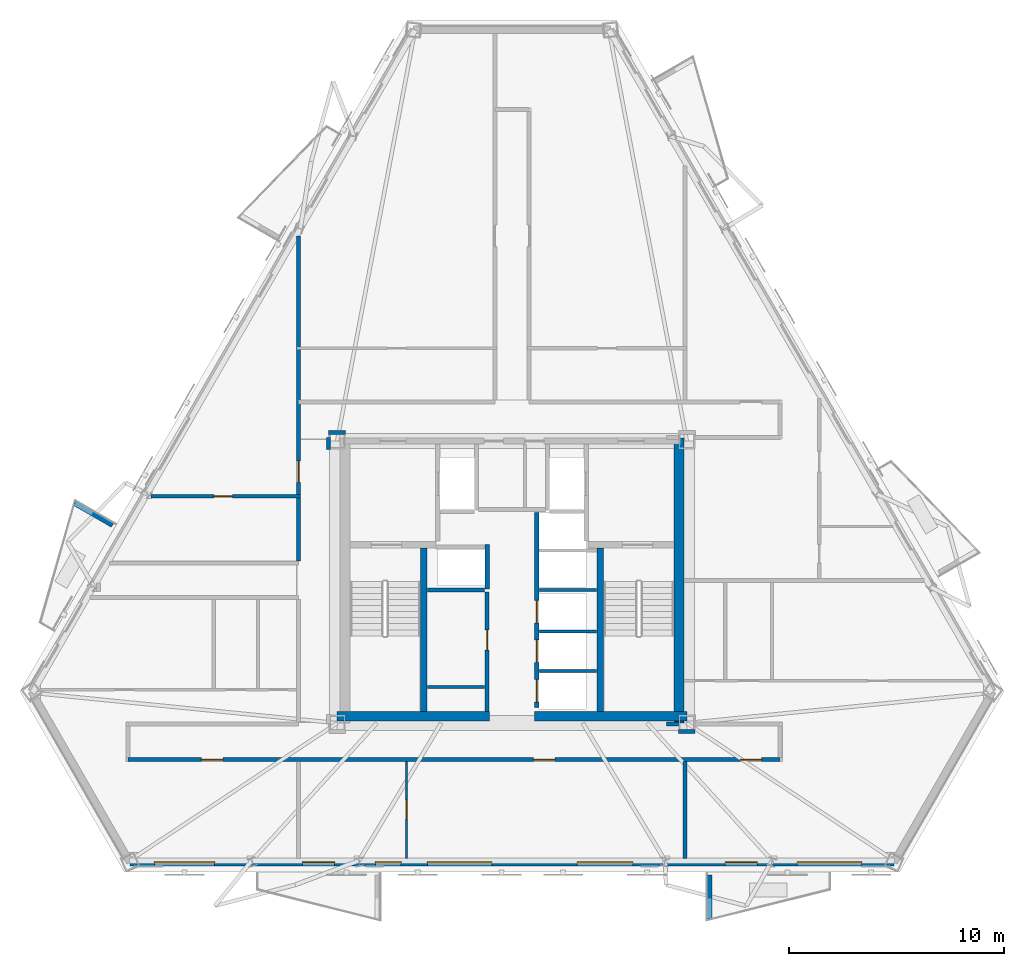
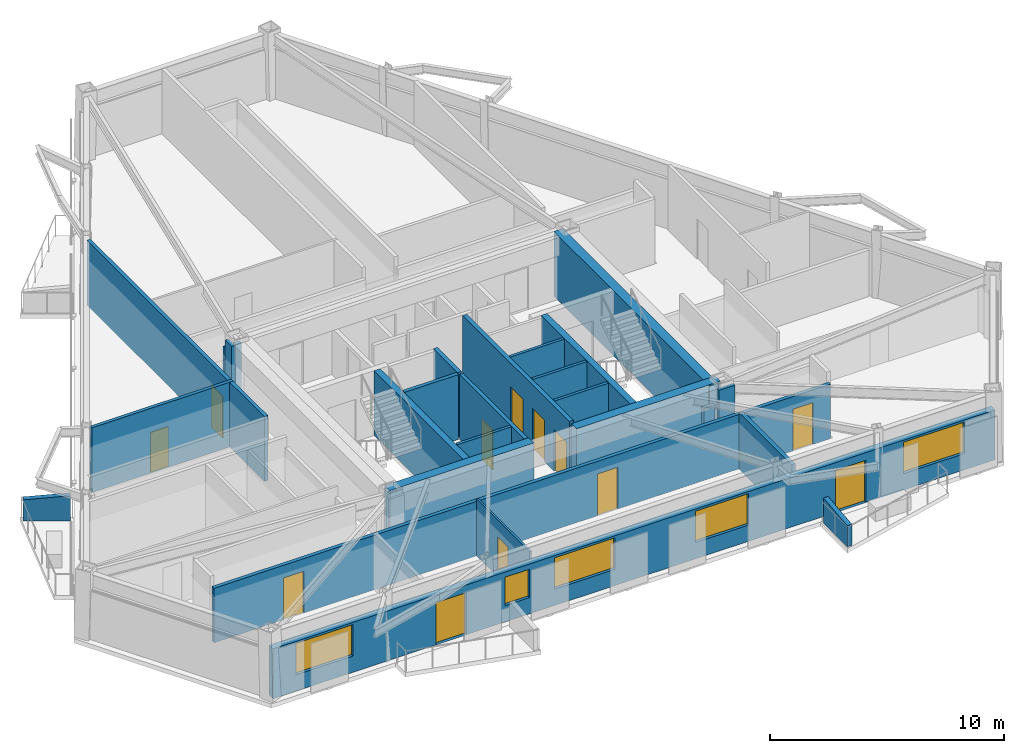
# One storey, part 3 of 9: 25 walls, 12 doors, 5 windows, 17 openings.
"""IFC4 building model written with IfcOpenShell, lengths in metres."""

from ifc_helpers import new_model, si_unit, direction, frame, frame_2d, origin, place, context, subcontext, project, spatial, polyline, rectangle, outline, extrude, material, layer, layer_set, type_object, element, fill, save


model = new_model("IFC4")

# Units and contexts
model_context = context("Model", 3, precision=1e-05, world=origin(), true_north=direction((0.0, 1.0)))
body_context = subcontext(model_context, "Body", "Model", "MODEL_VIEW")
ifc_project = project(units=[si_unit("LENGTHUNIT", "METRE"), si_unit("AREAUNIT", "SQUARE_METRE"), si_unit("VOLUMEUNIT", "CUBIC_METRE"), si_unit("PLANEANGLEUNIT", "RADIAN"), si_unit("MASSUNIT", "GRAM", prefix="KILO")], contexts=[model_context])

# Site, building, storey
site_placement = place(None, origin())
site = spatial("IfcSite", under=ifc_project, at=site_placement, CompositionType="ELEMENT")
building_placement = place(site_placement, origin())
building = spatial("IfcBuilding", under=site, at=building_placement, Name="Oramaril Tower", CompositionType="ELEMENT")
storey_placement = place(building_placement, frame((0.0, 0.0, 156.60009765625)))
storey = spatial("IfcBuildingStorey", under=building, at=storey_placement, Name="L41", CompositionType="ELEMENT", Elevation=156.60009765625)

# Wall, openings, doors, windows
ifc_material_1 = material(Name="Warm Cream Limestone", Category="masonry")
ifc_layer_1 = layer(ifc_material_1, 0.340087890625)
ifc_layer_set_1 = layer_set([ifc_layer_1], Name="WT-EXT34")
wall_type_1 = type_object("IfcWallType", Name="WT-EXT34", PredefinedType="SOLIDWALL", material=ifc_layer_set_1)
wall_1_placement = place(storey_placement, frame((19.69677734375, 4.5107421875, 0.0), z_axis=(0.0, 0.0, 1.0), x_axis=(1.0, 0.0, 0.0)))
wall_1 = element("IfcWall", 1, at=wall_1_placement, inside=storey, type_object=wall_type_1, Name="L41 Tower Limestone Facade Wall 2M", PredefinedType="SOLIDWALL", context=body_context, shape_type="SweptSolid", body=[
    extrude(rectangle(XDim=35.6064453125, YDim=0.340087890625, at=frame_2d((17.80322265625, 0.0))), origin(), (0.0, 0.0, 1.0), 2.599853515625),
])
opening_1_placement = place(wall_1_placement, frame((8.034423828125, 0.0, 0.0)))
opening_1 = element("IfcOpeningElement", 2, at=opening_1_placement, cuts=wall_1, Name="Opening D-L41-BAL-S1", PredefinedType="OPENING", context=body_context, shape_type="SweptSolid", body=[
    extrude(rectangle(XDim=1.5, YDim=2.199951171875, at=frame_2d((0.75, 1.10009765625))), frame((0.0, 0.169921875, 0.0), z_axis=(0.0, -1.0, 0.0), x_axis=(1.0, 0.0, 0.0)), (0.0, 0.0, 1.0), 0.340087890625),
])
opening_2_placement = place(wall_1_placement, frame((27.737060546875, 0.0, 0.0)))
opening_2 = element("IfcOpeningElement", 3, at=opening_2_placement, cuts=wall_1, Name="Opening D-L41-BAL-S2", PredefinedType="OPENING", context=body_context, shape_type="SweptSolid", body=[
    extrude(rectangle(XDim=1.5, YDim=2.199951171875, at=frame_2d((0.75, 1.10009765625))), frame((0.0, 0.169921875, 0.0), z_axis=(0.0, -1.0, 0.0), x_axis=(1.0, 0.0, 0.0)), (0.0, 0.0, 1.0), 0.340087890625),
])
opening_3_placement = place(wall_1_placement, frame((13.86181640625, 0.0, 0.85009765625)))
opening_3 = element("IfcOpeningElement", 4, at=opening_3_placement, cuts=wall_1, Name="Opening WN-10", PredefinedType="OPENING", context=body_context, shape_type="SweptSolid", body=[
    extrude(rectangle(XDim=3.0, YDim=1.639892578125, at=frame_2d((1.5, 0.81982421875))), frame((0.0, 0.169921875, 0.0), z_axis=(0.0, -1.0, 0.0), x_axis=(1.0, 0.0, 0.0)), (0.0, 0.0, 1.0), 0.340087890625),
])
opening_4_placement = place(wall_1_placement, frame((20.83837890625, 0.0, 0.85009765625)))
opening_4 = element("IfcOpeningElement", 5, at=opening_4_placement, cuts=wall_1, Name="Opening WN-02", PredefinedType="OPENING", context=body_context, shape_type="SweptSolid", body=[
    extrude(rectangle(XDim=2.60009765625, YDim=1.639892578125, at=frame_2d((1.300048828125, 0.81982421875))), frame((0.0, 0.169921875, 0.0), z_axis=(0.0, -1.0, 0.0), x_axis=(1.0, 0.0, 0.0)), (0.0, 0.0, 1.0), 0.340087890625),
])
opening_5_placement = place(wall_1_placement, frame((11.440185546875, 0.0, 0.85009765625)))
opening_5 = element("IfcOpeningElement", 6, at=opening_5_placement, cuts=wall_1, Name="Opening WN-09", PredefinedType="OPENING", context=body_context, shape_type="SweptSolid", body=[
    extrude(rectangle(XDim=1.199951171875, YDim=1.47998046875, at=frame_2d((0.60009765625, 0.739990234375))), frame((0.0, 0.169921875, 0.0), z_axis=(0.0, -1.0, 0.0), x_axis=(1.0, 0.0, 0.0)), (0.0, 0.0, 1.0), 0.340087890625),
])
opening_6_placement = place(wall_1_placement, frame((1.138916015625, 0.0, 0.85009765625)))
opening_6 = element("IfcOpeningElement", 7, at=opening_6_placement, cuts=wall_1, Name="Opening WN-01", PredefinedType="OPENING", context=body_context, shape_type="SweptSolid", body=[
    extrude(rectangle(XDim=2.800048828125, YDim=1.639892578125, at=frame_2d((1.39990234375, 0.81982421875))), frame((0.0, 0.169921875, 0.0), z_axis=(0.0, -1.0, 0.0), x_axis=(1.0, 0.0, 0.0)), (0.0, 0.0, 1.0), 0.340087890625),
])
opening_7_placement = place(wall_1_placement, frame((31.09521484375, 0.0, 0.85009765625)))
opening_7 = element("IfcOpeningElement", 8, at=opening_7_placement, cuts=wall_1, Name="Opening WN-10", PredefinedType="OPENING", context=body_context, shape_type="SweptSolid", body=[
    extrude(rectangle(XDim=3.0, YDim=1.639892578125, at=frame_2d((1.5, 0.81982421875))), frame((0.0, 0.169921875, 0.0), z_axis=(0.0, -1.0, 0.0), x_axis=(1.0, 0.0, 0.0)), (0.0, 0.0, 1.0), 0.340087890625),
])
ifc_material_2 = material(Name="Anodised Aluminium 6063-T6", Category="aluminium")
door_type_1 = type_object("IfcDoorType", Name="DT-BAL", OperationType="NOTDEFINED", PredefinedType="DOOR", material=ifc_material_2)
door_1_placement = place(opening_1_placement, origin())
door_1 = element("IfcDoor", 9, at=door_1_placement, inside=storey, type_object=door_type_1, Name="L41 Balcony Glazed Door L41-BAL-S1", OperationType="SINGLE_SWING_RIGHT", OverallHeight=2.199951171875, OverallWidth=1.5, PredefinedType="DOOR", context=body_context, shape_type="SweptSolid", body=[
    extrude(rectangle(XDim=1.5, YDim=2.199951171875, at=frame_2d((0.75, 1.10009765625))), frame((0.0, 0.02490234375, 0.0), z_axis=(0.0, -1.0, 0.0), x_axis=(1.0, 0.0, 0.0)), (0.0, 0.0, 1.0), 0.050048828125),
])
fill(opening_1, door_1)
door_2_placement = place(opening_2_placement, origin())
door_2 = element("IfcDoor", 10, at=door_2_placement, inside=storey, type_object=door_type_1, Name="L41 Balcony Glazed Door L41-BAL-S2", OperationType="SINGLE_SWING_LEFT", OverallHeight=2.199951171875, OverallWidth=1.5, PredefinedType="DOOR", context=body_context, shape_type="SweptSolid", body=[
    extrude(rectangle(XDim=1.5, YDim=2.199951171875, at=frame_2d((0.75, 1.10009765625))), frame((0.0, 0.02490234375, 0.0), z_axis=(0.0, -1.0, 0.0), x_axis=(1.0, 0.0, 0.0)), (0.0, 0.0, 1.0), 0.050048828125),
])
fill(opening_2, door_2)
ifc_material_3 = material(Name="Coastal Low-E Insulated Glass", Category="glass")
window_type_1 = type_object("IfcWindowType", Name="WNT-01", PartitioningType="SINGLE_PANEL", PredefinedType="WINDOW", material=ifc_material_3)
window_1_placement = place(opening_6_placement, origin())
window_1 = element("IfcWindow", 11, at=window_1_placement, inside=storey, type_object=window_type_1, Name="L41 Chicago Bay Window WN-01", OverallHeight=1.639892578125, OverallWidth=2.800048828125, PartitioningType="SINGLE_PANEL", PredefinedType="WINDOW", context=body_context, shape_type="SweptSolid", body=[
    extrude(rectangle(XDim=2.800048828125, YDim=1.639892578125, at=frame_2d((1.39990234375, 0.81982421875))), frame((0.0, 0.030029296875, 0.0), z_axis=(0.0, -1.0, 0.0), x_axis=(1.0, 0.0, 0.0)), (0.0, 0.0, 1.0), 0.06005859375),
])
fill(opening_6, window_1)
ifc_material_4 = material(Name="Coastal Low-E Insulated Glass", Category="glass")
window_type_2 = type_object("IfcWindowType", Name="WNT-02", PartitioningType="SINGLE_PANEL", PredefinedType="WINDOW", material=ifc_material_4)
window_2_placement = place(opening_4_placement, origin())
window_2 = element("IfcWindow", 12, at=window_2_placement, inside=storey, type_object=window_type_2, Name="L41 Chicago Bay Window WN-02", OverallHeight=1.639892578125, OverallWidth=2.60009765625, PartitioningType="SINGLE_PANEL", PredefinedType="WINDOW", context=body_context, shape_type="SweptSolid", body=[
    extrude(rectangle(XDim=2.60009765625, YDim=1.639892578125, at=frame_2d((1.300048828125, 0.81982421875))), frame((0.0, 0.030029296875, 0.0), z_axis=(0.0, -1.0, 0.0), x_axis=(1.0, 0.0, 0.0)), (0.0, 0.0, 1.0), 0.06005859375),
])
fill(opening_4, window_2)
ifc_material_5 = material(Name="Coastal Low-E Insulated Glass", Category="glass")
window_type_3 = type_object("IfcWindowType", Name="WNT-09", PartitioningType="SINGLE_PANEL", PredefinedType="WINDOW", material=ifc_material_5)
window_3_placement = place(opening_5_placement, origin())
window_3 = element("IfcWindow", 13, at=window_3_placement, inside=storey, type_object=window_type_3, Name="L41 Chicago Bay Window WN-09", OverallHeight=1.47998046875, OverallWidth=1.199951171875, PartitioningType="SINGLE_PANEL", PredefinedType="WINDOW", context=body_context, shape_type="SweptSolid", body=[
    extrude(rectangle(XDim=1.199951171875, YDim=1.47998046875, at=frame_2d((0.60009765625, 0.739990234375))), frame((0.0, 0.030029296875, 0.0), z_axis=(0.0, -1.0, 0.0), x_axis=(1.0, 0.0, 0.0)), (0.0, 0.0, 1.0), 0.06005859375),
])
fill(opening_5, window_3)
ifc_material_6 = material(Name="Coastal Low-E Insulated Glass", Category="glass")
window_type_4 = type_object("IfcWindowType", Name="WNT-10", PartitioningType="SINGLE_PANEL", PredefinedType="WINDOW", material=ifc_material_6)
window_4_placement = place(opening_3_placement, origin())
window_4 = element("IfcWindow", 14, at=window_4_placement, inside=storey, type_object=window_type_4, Name="L41 Chicago Bay Window WN-10", OverallHeight=1.639892578125, OverallWidth=3.0, PartitioningType="SINGLE_PANEL", PredefinedType="WINDOW", context=body_context, shape_type="SweptSolid", body=[
    extrude(rectangle(XDim=3.0, YDim=1.639892578125, at=frame_2d((1.5, 0.81982421875))), frame((0.0, 0.030029296875, 0.0), z_axis=(0.0, -1.0, 0.0), x_axis=(1.0, 0.0, 0.0)), (0.0, 0.0, 1.0), 0.06005859375),
])
fill(opening_3, window_4)
window_5_placement = place(opening_7_placement, origin())
window_5 = element("IfcWindow", 15, at=window_5_placement, inside=storey, type_object=window_type_4, Name="L41 Chicago Bay Window WN-10", OverallHeight=1.639892578125, OverallWidth=3.0, PartitioningType="SINGLE_PANEL", PredefinedType="WINDOW", context=body_context, shape_type="SweptSolid", body=[
    extrude(rectangle(XDim=3.0, YDim=1.639892578125, at=frame_2d((1.5, 0.81982421875))), frame((0.0, 0.030029296875, 0.0), z_axis=(0.0, -1.0, 0.0), x_axis=(1.0, 0.0, 0.0)), (0.0, 0.0, 1.0), 0.06005859375),
])
fill(opening_7, window_5)

# Walls
ifc_material_7 = material(Name="Concrete C40/50", Category="concrete")
ifc_layer_2 = layer(ifc_material_7, 0.22998046875)
ifc_layer_set_2 = layer_set([ifc_layer_2], Name="WT-PRP23")
wall_type_2 = type_object("IfcWallType", Name="WT-PRP23", PredefinedType="PARAPET", material=ifc_layer_set_2)
for number, where, z_axis, x_axis, name in (
    (16, (46.69873046875, 3.91259765625, 0.0), (0.0, 0.0, 1.0), (0.0, -1.0, 0.0), "L41 Trapezoidal Balcony Frame Cheek L41-BAL-S2-L"),
    (17, (18.882080078125, 20.227294921875, 0.0), (0.0, 0.0, 1.0), (-0.866042246008, 0.499970827278, 0.0), "L41 Trapezoidal Balcony Frame Cheek L41-BAL-NW2-L"),
):
    element("IfcWall", number, at=place(storey_placement, frame(where, z_axis=z_axis, x_axis=x_axis)), inside=storey, type_object=wall_type_2, Name=name, PredefinedType="PARAPET", context=body_context, shape_type="SweptSolid", body=[
        extrude(outline(polyline([(0.0, 0.0), (2.0419921875, 0.0), (2.0419921875, 1.099853515625), (0.0, 1.31982421875), (0.0, 0.0)])), frame((0.0, 0.114990234375, 0.0), z_axis=(0.0, -1.0, 0.0), x_axis=(1.0, 0.0, 0.0)), (0.0, 0.0, 1.0), 0.22998046875),
    ])

# Wall, opening, door
ifc_material_8 = material(Name="Acoustic Gypsum Board Partition")
ifc_layer_3 = layer(ifc_material_8, 0.10009765625)
ifc_layer_set_3 = layer_set([ifc_layer_3], Name="WT-PT10")
wall_type_3 = type_object("IfcWallType", Name="WT-PT10", PredefinedType="PARTITIONING", material=ifc_layer_set_3)
wall_2_placement = place(storey_placement, frame((32.590087890625, 4.684814453125, 0.0), z_axis=(0.0, 0.0, 1.0), x_axis=(0.0, 1.0, 0.0)))
wall_2 = element("IfcWall", 18, at=wall_2_placement, inside=storey, type_object=wall_type_3, Name="L41 Interior Partition PT-10", PredefinedType="PARTITIONING", context=body_context, shape_type="SweptSolid", body=[
    extrude(rectangle(XDim=4.521240234375, YDim=0.10009765625, at=frame_2d((2.2607421875, 0.0))), origin(), (0.0, 0.0, 1.0), 2.9658203125),
])
opening_8_placement = place(wall_2_placement, frame((1.855712890625, 0.0, 0.0)))
opening_8 = element("IfcOpeningElement", 19, at=opening_8_placement, cuts=wall_2, Name="Opening D-L41-15", PredefinedType="OPENING", context=body_context, shape_type="SweptSolid", body=[
    extrude(rectangle(XDim=0.8798828125, YDim=2.080078125, at=frame_2d((0.43994140625, 1.0400390625))), frame((0.0, 0.050048828125, 0.0), z_axis=(0.0, -1.0, 0.0), x_axis=(1.0, 0.0, 0.0)), (0.0, 0.0, 1.0), 0.10009765625),
])
ifc_material_9 = material(Name="FSC Brazilian Freijo Hardwood", Category="wood")
door_type_2 = type_object("IfcDoorType", Name="DT-BATH", OperationType="NOTDEFINED", PredefinedType="DOOR", material=ifc_material_9)
door_3_placement = place(opening_8_placement, origin())
door_3 = element("IfcDoor", 20, at=door_3_placement, inside=storey, type_object=door_type_2, Name="L41 Flat L41-U1 Bathroom Door D-L41-15", OperationType="SINGLE_SWING_RIGHT", OverallHeight=2.080078125, OverallWidth=0.8798828125, PredefinedType="DOOR", context=body_context, shape_type="SweptSolid", body=[
    extrude(rectangle(XDim=0.8798828125, YDim=2.080078125, at=frame_2d((0.43994140625, 1.0400390625))), frame((0.0, 0.02490234375, 0.0), z_axis=(0.0, -1.0, 0.0), x_axis=(1.0, 0.0, 0.0)), (0.0, 0.0, 1.0), 0.050048828125),
])
fill(opening_8, door_3)

# Walls
ifc_material_10 = material(Name="Acoustic Gypsum Board Partition")
ifc_layer_4 = layer(ifc_material_10, 0.139892578125)
ifc_layer_set_4 = layer_set([ifc_layer_4], Name="WT-PT14")
wall_type_4 = type_object("IfcWallType", Name="WT-PT14", PredefinedType="PARTITIONING", material=ifc_layer_set_4)
for number, where, z_axis, x_axis, name in (
    (21, (33.56005859375, 12.679931640625, 0.0), (0.0, 0.0, 1.0), (1.0, 0.0, 0.0), "L41 Freed Shaft South Closure"),
    (22, (38.780029296875, 13.419921875, 0.0), (0.0, 0.0, 1.0), (1.0, 0.0, 0.0), "L41 East Lift Divider"),
    (23, (38.780029296875, 15.27001953125, 0.0), (0.0, 0.0, 1.0), (1.0, 0.0, 0.0), "L41 East Lift Divider"),
    (24, (38.780029296875, 17.199951171875, 0.0), (0.0, 0.0, 1.0), (1.0, 0.0, 0.0), "L41 East Lift Divider"),
):
    element("IfcWall", number, at=place(storey_placement, frame(where, z_axis=z_axis, x_axis=x_axis)), inside=storey, type_object=wall_type_4, Name=name, PredefinedType="PARTITIONING", context=body_context, shape_type="SweptSolid", body=[
        extrude(rectangle(XDim=2.659912109375, YDim=0.139892578125, at=frame_2d((1.330078125, 0.0))), origin(), (0.0, 0.0, 1.0), 3.3798828125),
    ])

# Wall, opening, door
ifc_material_11 = material(Name="Acoustic Gypsum Board Partition")
ifc_layer_5 = layer(ifc_material_11, 0.159912109375)
ifc_layer_set_5 = layer_set([ifc_layer_5], Name="WT-PT16")
wall_type_5 = type_object("IfcWallType", Name="WT-PT16", PredefinedType="PARTITIONING", material=ifc_layer_set_5)
wall_3_placement = place(storey_placement, frame((20.67626953125, 21.580078125, 0.0), z_axis=(0.0, 0.0, 1.0), x_axis=(1.0, 0.0, 0.0)))
wall_3 = element("IfcWall", 25, at=wall_3_placement, inside=storey, type_object=wall_type_5, Name="L41 Interior Partition PT-16", PredefinedType="PARTITIONING", context=body_context, shape_type="SweptSolid", body=[
    extrude(rectangle(XDim=6.955810546875, YDim=0.159912109375, at=frame_2d((3.47802734375, 0.0))), origin(), (0.0, 0.0, 1.0), 3.3798828125),
])
opening_9_placement = place(wall_3_placement, frame((2.921630859375, 0.0, 0.0)))
opening_9 = element("IfcOpeningElement", 26, at=opening_9_placement, cuts=wall_3, Name="Opening D-L41-10", PredefinedType="OPENING", context=body_context, shape_type="SweptSolid", body=[
    extrude(rectangle(XDim=0.8798828125, YDim=2.080078125, at=frame_2d((0.43994140625, 1.0400390625))), frame((0.0, 0.080078125, 0.0), z_axis=(0.0, -1.0, 0.0), x_axis=(1.0, 0.0, 0.0)), (0.0, 0.0, 1.0), 0.159912109375),
])
door_4_placement = place(opening_9_placement, origin())
door_4 = element("IfcDoor", 27, at=door_4_placement, inside=storey, type_object=door_type_2, Name="L41 Flat L41-U3 Bathroom Door D-L41-10", OperationType="SINGLE_SWING_LEFT", OverallHeight=2.080078125, OverallWidth=0.8798828125, PredefinedType="DOOR", context=body_context, shape_type="SweptSolid", body=[
    extrude(rectangle(XDim=0.8798828125, YDim=2.080078125, at=frame_2d((0.43994140625, 1.0400390625))), frame((0.0, 0.02490234375, 0.0), z_axis=(0.0, -1.0, 0.0), x_axis=(1.0, 0.0, 0.0)), (0.0, 0.0, 1.0), 0.050048828125),
])
fill(opening_9, door_4)

# Wall
ifc_material_12 = material(Name="Autoclaved Cellular Concrete Block", Category="concrete")
ifc_layer_6 = layer(ifc_material_12, 0.179931640625)
ifc_layer_set_6 = layer_set([ifc_layer_6], Name="WT-PT18")
wall_type_6 = type_object("IfcWallType", Name="WT-PT18", PredefinedType="PARTITIONING", material=ifc_layer_set_6)
wall_4_placement = place(storey_placement, frame((33.56005859375, 17.199951171875, 0.0), z_axis=(0.0, 0.0, 1.0), x_axis=(1.0, 0.0, 0.0)))
element("IfcWall", 28, at=wall_4_placement, inside=storey, type_object=wall_type_6, Name="L41 High-Rise Lift H1 South Wall", PredefinedType="PARTITIONING", context=body_context, shape_type="SweptSolid", body=[
    extrude(rectangle(XDim=2.659912109375, YDim=0.179931640625, at=frame_2d((1.330078125, 0.0))), origin(), (0.0, 0.0, 1.0), 3.3798828125),
])

# Wall, opening, door
wall_5_placement = place(storey_placement, frame((36.340087890625, 11.550048828125, 0.0), z_axis=(0.0, 0.0, 1.0), x_axis=(0.0, 1.0, 0.0)))
wall_5 = element("IfcWall", 29, at=wall_5_placement, inside=storey, type_object=wall_type_6, Name="L41 Freed Shaft Study East Wall", PredefinedType="PARTITIONING", context=body_context, shape_type="SweptSolid", body=[
    extrude(rectangle(XDim=5.550048828125, YDim=0.179931640625, at=frame_2d((2.77490234375, 0.0))), origin(), (0.0, 0.0, 1.0), 3.3798828125),
])
opening_10_placement = place(wall_5_placement, frame((2.85009765625, 0.0, 0.0)))
opening_10 = element("IfcOpeningElement", 30, at=opening_10_placement, cuts=wall_5, Name="Opening D-L41-FL1", PredefinedType="OPENING", context=body_context, shape_type="SweptSolid", body=[
    extrude(rectangle(XDim=0.949951171875, YDim=2.10009765625, at=frame_2d((0.47509765625, 1.050048828125))), frame((0.0, 0.08984375, 0.0), z_axis=(0.0, -1.0, 0.0), x_axis=(1.0, 0.0, 0.0)), (0.0, 0.0, 1.0), 0.179931640625),
])
ifc_material_13 = material(Name="FSC Brazilian Freijo Hardwood", Category="wood")
door_type_3 = type_object("IfcDoorType", Name="DT-STDY", OperationType="NOTDEFINED", PredefinedType="DOOR", material=ifc_material_13)
door_5_placement = place(opening_10_placement, origin())
door_5 = element("IfcDoor", 31, at=door_5_placement, inside=storey, type_object=door_type_3, Name="L41 L41 Residents Library Study Door", OperationType="SINGLE_SWING_LEFT", OverallHeight=2.10009765625, OverallWidth=0.949951171875, PredefinedType="DOOR", context=body_context, shape_type="SweptSolid", body=[
    extrude(rectangle(XDim=0.949951171875, YDim=2.10009765625, at=frame_2d((0.47509765625, 1.050048828125))), frame((0.0, 0.02490234375, 0.0), z_axis=(0.0, -1.0, 0.0), x_axis=(1.0, 0.0, 0.0)), (0.0, 0.0, 1.0), 0.050048828125),
])
fill(opening_10, door_5)

# Wall, openings, doors
wall_6_placement = place(storey_placement, frame((19.60009765625, 9.300048828125, 0.0), z_axis=(0.0, 0.0, 1.0), x_axis=(1.0, 0.0, 0.0)))
wall_6 = element("IfcWall", 32, at=wall_6_placement, inside=storey, type_object=wall_type_6, Name="L41 Interior Partition PT-18", PredefinedType="PARTITIONING", context=body_context, shape_type="SweptSolid", body=[
    extrude(rectangle(XDim=30.39990234375, YDim=0.179931640625, at=frame_2d((15.199951171875, 0.0))), origin(), (0.0, 0.0, 1.0), 2.841796875),
])
opening_11_placement = place(wall_6_placement, frame((3.42138671875, 0.0, 0.0)))
opening_11 = element("IfcOpeningElement", 33, at=opening_11_placement, cuts=wall_6, Name="Opening D-L41-01", PredefinedType="OPENING", context=body_context, shape_type="SweptSolid", body=[
    extrude(rectangle(XDim=1.0, YDim=2.179931640625, at=frame_2d((0.5, 1.08984375))), frame((0.0, 0.08984375, 0.0), z_axis=(0.0, -1.0, 0.0), x_axis=(1.0, 0.0, 0.0)), (0.0, 0.0, 1.0), 0.179931640625),
])
opening_12_placement = place(wall_6_placement, frame((18.90185546875, 0.0, 0.0)))
opening_12 = element("IfcOpeningElement", 34, at=opening_12_placement, cuts=wall_6, Name="Opening D-L41-02", PredefinedType="OPENING", context=body_context, shape_type="SweptSolid", body=[
    extrude(rectangle(XDim=1.0, YDim=2.179931640625, at=frame_2d((0.5, 1.08984375))), frame((0.0, 0.08984375, 0.0), z_axis=(0.0, -1.0, 0.0), x_axis=(1.0, 0.0, 0.0)), (0.0, 0.0, 1.0), 0.179931640625),
])
opening_13_placement = place(wall_6_placement, frame((28.5322265625, 0.0, 0.0)))
opening_13 = element("IfcOpeningElement", 35, at=opening_13_placement, cuts=wall_6, Name="Opening D-L41-03", PredefinedType="OPENING", context=body_context, shape_type="SweptSolid", body=[
    extrude(rectangle(XDim=1.0, YDim=2.179931640625, at=frame_2d((0.5, 1.08984375))), frame((0.0, 0.08984375, 0.0), z_axis=(0.0, -1.0, 0.0), x_axis=(1.0, 0.0, 0.0)), (0.0, 0.0, 1.0), 0.179931640625),
])
ifc_material_14 = material(Name="FSC Brazilian Freijo Hardwood", Category="wood")
door_type_4 = type_object("IfcDoorType", Name="DT-APT", OperationType="NOTDEFINED", PredefinedType="DOOR", material=ifc_material_14)
door_6_placement = place(opening_11_placement, origin())
door_6 = element("IfcDoor", 36, at=door_6_placement, inside=storey, type_object=door_type_4, Name="L41 Flat L41-U2 Penthouse Living and Dining Room Door D-L41-01", OperationType="SINGLE_SWING_RIGHT", OverallHeight=2.179931640625, OverallWidth=1.0, PredefinedType="DOOR", context=body_context, shape_type="SweptSolid", body=[
    extrude(rectangle(XDim=1.0, YDim=2.179931640625, at=frame_2d((0.5, 1.08984375))), frame((0.0, 0.02490234375, 0.0), z_axis=(0.0, -1.0, 0.0), x_axis=(1.0, 0.0, 0.0)), (0.0, 0.0, 1.0), 0.050048828125),
])
fill(opening_11, door_6)
door_7_placement = place(opening_12_placement, origin())
door_7 = element("IfcDoor", 37, at=door_7_placement, inside=storey, type_object=door_type_4, Name="L41 Flat L41-U1 Kitchen and Studio Apartment Door D-L41-02", OperationType="SINGLE_SWING_LEFT", OverallHeight=2.179931640625, OverallWidth=1.0, PredefinedType="DOOR", context=body_context, shape_type="SweptSolid", body=[
    extrude(rectangle(XDim=1.0, YDim=2.179931640625, at=frame_2d((0.5, 1.08984375))), frame((0.0, 0.02490234375, 0.0), z_axis=(0.0, -1.0, 0.0), x_axis=(1.0, 0.0, 0.0)), (0.0, 0.0, 1.0), 0.050048828125),
])
fill(opening_12, door_7)
door_8_placement = place(opening_13_placement, origin())
door_8 = element("IfcDoor", 38, at=door_8_placement, inside=storey, type_object=door_type_4, Name="L41 Flat L41-U4 Penthouse Living and Dining Room Door D-L41-03", OperationType="SINGLE_SWING_RIGHT", OverallHeight=2.179931640625, OverallWidth=1.0, PredefinedType="DOOR", context=body_context, shape_type="SweptSolid", body=[
    extrude(rectangle(XDim=1.0, YDim=2.179931640625, at=frame_2d((0.5, 1.08984375))), frame((0.0, 0.02490234375, 0.0), z_axis=(0.0, -1.0, 0.0), x_axis=(1.0, 0.0, 0.0)), (0.0, 0.0, 1.0), 0.050048828125),
])
fill(opening_13, door_8)

# Walls
wall_7_placement = place(storey_placement, frame((45.260009765625, 10.610107421875, 0.0), z_axis=(0.0, 0.0, 1.0), x_axis=(1.0, 0.0, 0.0)))
element("IfcWall", 39, at=wall_7_placement, inside=storey, type_object=wall_type_6, Name="L41 Interior Partition PT-18", PredefinedType="PARTITIONING", context=body_context, shape_type="SweptSolid", body=[
    extrude(rectangle(XDim=0.780029296875, YDim=0.179931640625, at=frame_2d((0.39013671875, 0.0))), origin(), (0.0, 0.0, 1.0), 3.3798828125),
])
wall_8_placement = place(storey_placement, frame((44.695068359375, 10.949951171875, 0.0), z_axis=(0.0, 0.0, 1.0), x_axis=(1.0, 0.0, 0.0)))
element("IfcWall", 40, at=wall_8_placement, inside=storey, type_object=wall_type_6, Name="L41 Interior Partition PT-18", PredefinedType="PARTITIONING", context=body_context, shape_type="SweptSolid", body=[
    extrude(rectangle(XDim=0.56494140625, YDim=0.179931640625, at=frame_2d((0.282470703125, 0.0))), origin(), (0.0, 0.0, 1.0), 2.419921875),
])
wall_9_placement = place(storey_placement, frame((28.955078125, 24.550048828125, 0.0), z_axis=(0.0, 0.0, 1.0), x_axis=(1.0, 0.0, 0.0)))
element("IfcWall", 41, at=wall_9_placement, inside=storey, type_object=wall_type_6, Name="L41 Interior Partition PT-18", PredefinedType="PARTITIONING", context=body_context, shape_type="SweptSolid", body=[
    extrude(rectangle(XDim=0.7900390625, YDim=0.179931640625, at=frame_2d((0.39501953125, 0.0))), origin(), (0.0, 0.0, 1.0), 2.841796875),
])

# Wall, opening, door
wall_10_placement = place(storey_placement, frame((27.550048828125, 18.5439453125, 0.0), z_axis=(0.0, 0.0, 1.0), x_axis=(0.0, 1.0, 0.0)))
wall_10 = element("IfcWall", 42, at=wall_10_placement, inside=storey, type_object=wall_type_6, Name="L41 Interior Partition PT-18", PredefinedType="PARTITIONING", context=body_context, shape_type="SweptSolid", body=[
    extrude(rectangle(XDim=15.15283203125, YDim=0.179931640625, at=frame_2d((7.576416015625, 0.0))), origin(), (0.0, 0.0, 1.0), 3.3798828125),
])
opening_14_placement = place(wall_10_placement, frame((3.680419921875, 0.0, 0.0)))
opening_14 = element("IfcOpeningElement", 43, at=opening_14_placement, cuts=wall_10, Name="Opening D-L41-14", PredefinedType="OPENING", context=body_context, shape_type="SweptSolid", body=[
    extrude(rectangle(XDim=1.0, YDim=2.179931640625, at=frame_2d((0.5, 1.08984375))), frame((0.0, 0.08984375, 0.0), z_axis=(0.0, -1.0, 0.0), x_axis=(1.0, 0.0, 0.0)), (0.0, 0.0, 1.0), 0.179931640625),
])
door_9_placement = place(opening_14_placement, origin())
door_9 = element("IfcDoor", 44, at=door_9_placement, inside=storey, type_object=door_type_4, Name="L41 Flat L41-U3 Kitchen and Studio Apartment Door D-L41-14", OperationType="SINGLE_SWING_LEFT", OverallHeight=2.179931640625, OverallWidth=1.0, PredefinedType="DOOR", context=body_context, shape_type="SweptSolid", body=[
    extrude(rectangle(XDim=1.0, YDim=2.179931640625, at=frame_2d((0.5, 1.08984375))), frame((0.0, 0.02490234375, 0.0), z_axis=(0.0, -1.0, 0.0), x_axis=(1.0, 0.0, 0.0)), (0.0, 0.0, 1.0), 0.050048828125),
])
fill(opening_14, door_9)

# Walls
wall_11_placement = place(storey_placement, frame((28.949951171875, 23.7548828125, 0.0), z_axis=(0.0, 0.0, 1.0), x_axis=(0.0, 1.0, 0.0)))
element("IfcWall", 45, at=wall_11_placement, inside=storey, type_object=wall_type_6, Name="L41 Interior Partition PT-18", PredefinedType="PARTITIONING", context=body_context, shape_type="SweptSolid", body=[
    extrude(rectangle(XDim=0.565185546875, YDim=0.179931640625, at=frame_2d((0.28271484375, 0.0))), origin(), (0.0, 0.0, 1.0), 3.3798828125),
])
wall_12_placement = place(storey_placement, frame((45.56005859375, 4.684814453125, 0.0), z_axis=(0.0, 0.0, 1.0), x_axis=(0.0, 1.0, 0.0)))
element("IfcWall", 46, at=wall_12_placement, inside=storey, type_object=wall_type_6, Name="L41 Interior Partition PT-18", PredefinedType="PARTITIONING", context=body_context, shape_type="SweptSolid", body=[
    extrude(rectangle(XDim=4.521240234375, YDim=0.179931640625, at=frame_2d((2.2607421875, 0.0))), origin(), (0.0, 0.0, 1.0), 2.9658203125),
])
ifc_material_15 = material(Name="Concrete C50/60", Category="concrete")
ifc_layer_7 = layer(ifc_material_15, 0.300048828125)
ifc_layer_set_7 = layer_set([ifc_layer_7], Name="WT-SH30")
wall_type_7 = type_object("IfcWallType", Name="WT-SH30", PredefinedType="SHEAR", material=ifc_layer_set_7)
for number, where, z_axis, x_axis, name in (
    (47, (33.3798828125, 11.5400390625, 0.0), (0.0, 0.0, 1.0), (0.0, 1.0, 0.0), "L41 Core Shear Wall CW-ST1E"),
    (48, (41.6201171875, 11.5400390625, 0.0), (0.0, 0.0, 1.0), (0.0, 1.0, 0.0), "L41 Core Shear Wall CW-ST2W"),
):
    element("IfcWall", number, at=place(storey_placement, frame(where, z_axis=z_axis, x_axis=x_axis)), inside=storey, type_object=wall_type_7, Name=name, PredefinedType="SHEAR", context=body_context, shape_type="SweptSolid", body=[
        extrude(rectangle(XDim=7.619873046875, YDim=0.300048828125, at=frame_2d((3.81005859375, 0.0))), origin(), (0.0, 0.0, 1.0), 3.3798828125),
    ])
ifc_material_16 = material(Name="Concrete C50/60", Category="concrete")
ifc_layer_8 = layer(ifc_material_16, 0.449951171875)
ifc_layer_set_8 = layer_set([ifc_layer_8], Name="WT-SH45")
wall_type_8 = type_object("IfcWallType", Name="WT-SH45", PredefinedType="SHEAR", material=ifc_layer_set_8)
wall_13_placement = place(storey_placement, frame((45.284912109375, 11.0, 0.0), z_axis=(0.0, 0.0, 1.0), x_axis=(0.0, 1.0, 0.0)))
element("IfcWall", 49, at=wall_13_placement, inside=storey, type_object=wall_type_8, Name="L41 Core Shear Wall CW-E", PredefinedType="SHEAR", context=body_context, shape_type="SweptSolid", body=[
    extrude(rectangle(XDim=13.300048828125, YDim=0.449951171875, at=frame_2d((6.64990234375, 0.0))), origin(), (0.0, 0.0, 1.0), 3.3798828125),
])
for number, where, z_axis, x_axis, name in (
    (50, (29.35009765625, 11.31494140625, 0.0), (0.0, 0.0, 1.0), (1.0, 0.0, 0.0), "L41 Core Shear Wall CW-SW"),
    (51, (38.550048828125, 11.31494140625, 0.0), (0.0, 0.0, 1.0), (1.0, 0.0, 0.0), "L41 Core Shear Wall CW-SE"),
):
    element("IfcWall", number, at=place(storey_placement, frame(where, z_axis=z_axis, x_axis=x_axis)), inside=storey, type_object=wall_type_8, Name=name, PredefinedType="SHEAR", context=body_context, shape_type="SweptSolid", body=[
        extrude(rectangle(XDim=7.099853515625, YDim=0.449951171875, at=frame_2d((3.5498046875, 0.0))), origin(), (0.0, 0.0, 1.0), 3.3798828125),
    ])
ifc_material_17 = material(Name="Autoclaved Cellular Concrete Block", Category="concrete")
ifc_layer_9 = layer(ifc_material_17, 0.199951171875)
ifc_layer_set_9 = layer_set([ifc_layer_9], Name="WT-SHF20")
wall_type_9 = type_object("IfcWallType", Name="WT-SHF20", PredefinedType="PARTITIONING", material=ifc_layer_set_9)
wall_14_placement = place(storey_placement, frame((36.340087890625, 17.25, 0.0), z_axis=(0.0, 0.0, 1.0), x_axis=(0.0, 1.0, 0.0)))
element("IfcWall", 52, at=wall_14_placement, inside=storey, type_object=wall_type_9, Name="L41 High-Rise Lift H1 Front Wall", PredefinedType="PARTITIONING", context=body_context, shape_type="SweptSolid", body=[
    extrude(rectangle(XDim=2.070068359375, YDim=0.199951171875, at=frame_2d((1.03515625, 0.0))), origin(), (0.0, 0.0, 1.0), 3.3798828125),
])

# Wall, openings, doors
wall_15_placement = place(storey_placement, frame((38.659912109375, 11.719970703125, 0.0), z_axis=(0.0, 0.0, 1.0), x_axis=(0.0, 1.0, 0.0)))
wall_15 = element("IfcWall", 53, at=wall_15_placement, inside=storey, type_object=wall_type_9, Name="L41 East Lift Bank Front Wall", PredefinedType="PARTITIONING", context=body_context, shape_type="SweptSolid", body=[
    extrude(rectangle(XDim=9.10009765625, YDim=0.199951171875, at=frame_2d((4.550048828125, 0.0))), origin(), (0.0, 0.0, 1.0), 3.3798828125),
])
opening_15_placement = place(wall_15_placement, frame((0.2548828125, 0.0, 0.0)))
opening_15 = element("IfcOpeningElement", 54, at=opening_15_placement, cuts=wall_15, Name="Opening LD-L41-LP-M1", PredefinedType="OPENING", context=body_context, shape_type="SweptSolid", body=[
    extrude(rectangle(XDim=1.050048828125, YDim=2.14990234375, at=frame_2d((0.52490234375, 1.074951171875))), frame((0.0, 0.10009765625, 0.0), z_axis=(0.0, -1.0, 0.0), x_axis=(1.0, 0.0, 0.0)), (0.0, 0.0, 1.0), 0.199951171875),
])
opening_16_placement = place(wall_15_placement, frame((2.10498046875, 0.0, 0.0)))
opening_16 = element("IfcOpeningElement", 55, at=opening_16_placement, cuts=wall_15, Name="Opening LD-L41-LP-M2", PredefinedType="OPENING", context=body_context, shape_type="SweptSolid", body=[
    extrude(rectangle(XDim=1.050048828125, YDim=2.14990234375, at=frame_2d((0.52490234375, 1.074951171875))), frame((0.0, 0.10009765625, 0.0), z_axis=(0.0, -1.0, 0.0), x_axis=(1.0, 0.0, 0.0)), (0.0, 0.0, 1.0), 0.199951171875),
])
opening_17_placement = place(wall_15_placement, frame((3.955078125, 0.0, 0.0)))
opening_17 = element("IfcOpeningElement", 56, at=opening_17_placement, cuts=wall_15, Name="Opening LD-L41-LP-M3", PredefinedType="OPENING", context=body_context, shape_type="SweptSolid", body=[
    extrude(rectangle(XDim=1.050048828125, YDim=2.14990234375, at=frame_2d((0.52490234375, 1.074951171875))), frame((0.0, 0.10009765625, 0.0), z_axis=(0.0, -1.0, 0.0), x_axis=(1.0, 0.0, 0.0)), (0.0, 0.0, 1.0), 0.199951171875),
])
ifc_material_18 = material(Name="Stainless Steel 316L", Category="steel")
door_type_5 = type_object("IfcDoorType", Name="DT-LD2", OperationType="NOTDEFINED", PredefinedType="DOOR", material=ifc_material_18)
door_10_placement = place(opening_15_placement, origin())
door_10 = element("IfcDoor", 57, at=door_10_placement, inside=storey, type_object=door_type_5, Name="L41 Lift LP-M1 Sliding Landing Door", OperationType="SLIDING_TO_RIGHT", OverallHeight=2.14990234375, OverallWidth=1.050048828125, PredefinedType="DOOR", context=body_context, shape_type="SweptSolid", body=[
    extrude(rectangle(XDim=1.050048828125, YDim=2.14990234375, at=frame_2d((0.52490234375, 1.074951171875))), frame((0.0, 0.02490234375, 0.0), z_axis=(0.0, -1.0, 0.0), x_axis=(1.0, 0.0, 0.0)), (0.0, 0.0, 1.0), 0.050048828125),
])
fill(opening_15, door_10)
door_11_placement = place(opening_16_placement, origin())
door_11 = element("IfcDoor", 58, at=door_11_placement, inside=storey, type_object=door_type_5, Name="L41 Lift LP-M2 Sliding Landing Door", OperationType="SLIDING_TO_LEFT", OverallHeight=2.14990234375, OverallWidth=1.050048828125, PredefinedType="DOOR", context=body_context, shape_type="SweptSolid", body=[
    extrude(rectangle(XDim=1.050048828125, YDim=2.14990234375, at=frame_2d((0.52490234375, 1.074951171875))), frame((0.0, 0.02490234375, 0.0), z_axis=(0.0, -1.0, 0.0), x_axis=(1.0, 0.0, 0.0)), (0.0, 0.0, 1.0), 0.050048828125),
])
fill(opening_16, door_11)
door_12_placement = place(opening_17_placement, origin())
door_12 = element("IfcDoor", 59, at=door_12_placement, inside=storey, type_object=door_type_5, Name="L41 Lift LP-M3 Sliding Landing Door", OperationType="SLIDING_TO_RIGHT", OverallHeight=2.14990234375, OverallWidth=1.050048828125, PredefinedType="DOOR", context=body_context, shape_type="SweptSolid", body=[
    extrude(rectangle(XDim=1.050048828125, YDim=2.14990234375, at=frame_2d((0.52490234375, 1.074951171875))), frame((0.0, 0.02490234375, 0.0), z_axis=(0.0, -1.0, 0.0), x_axis=(1.0, 0.0, 0.0)), (0.0, 0.0, 1.0), 0.050048828125),
])
fill(opening_17, door_12)

save(model, "model.ifc")
